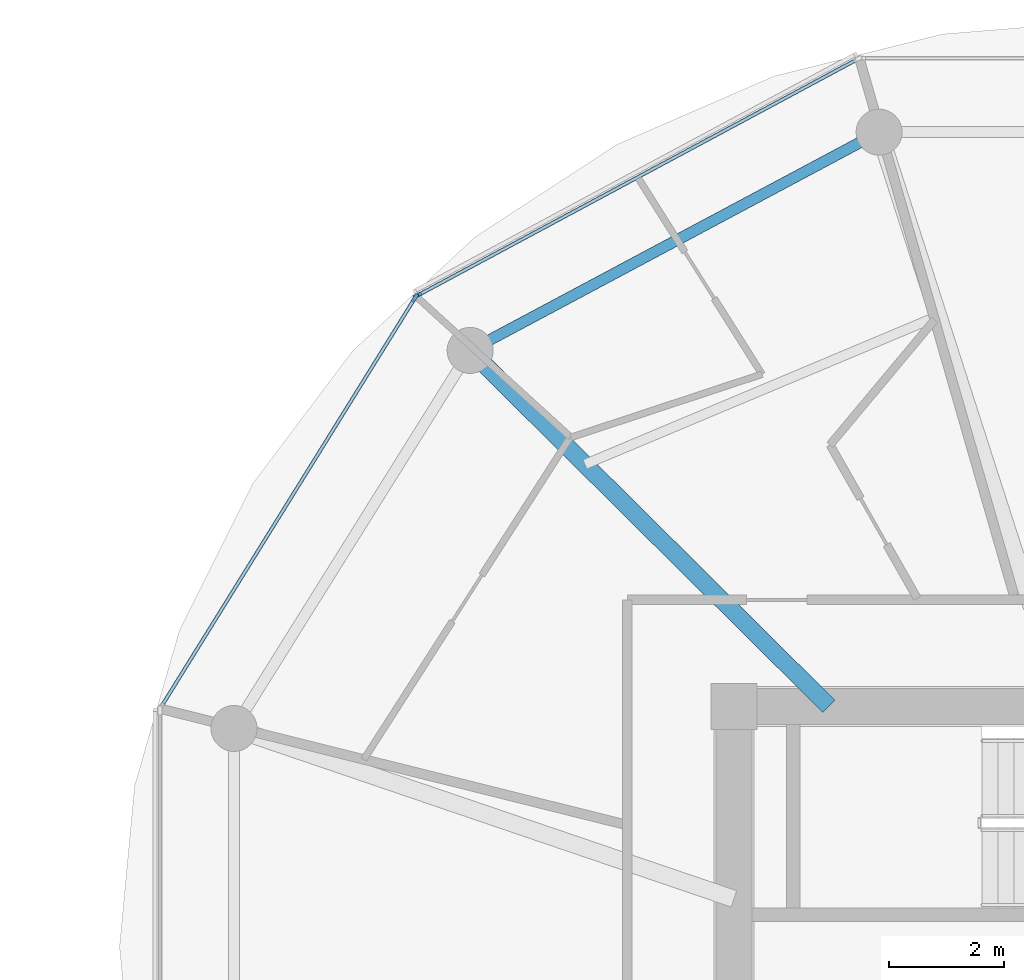
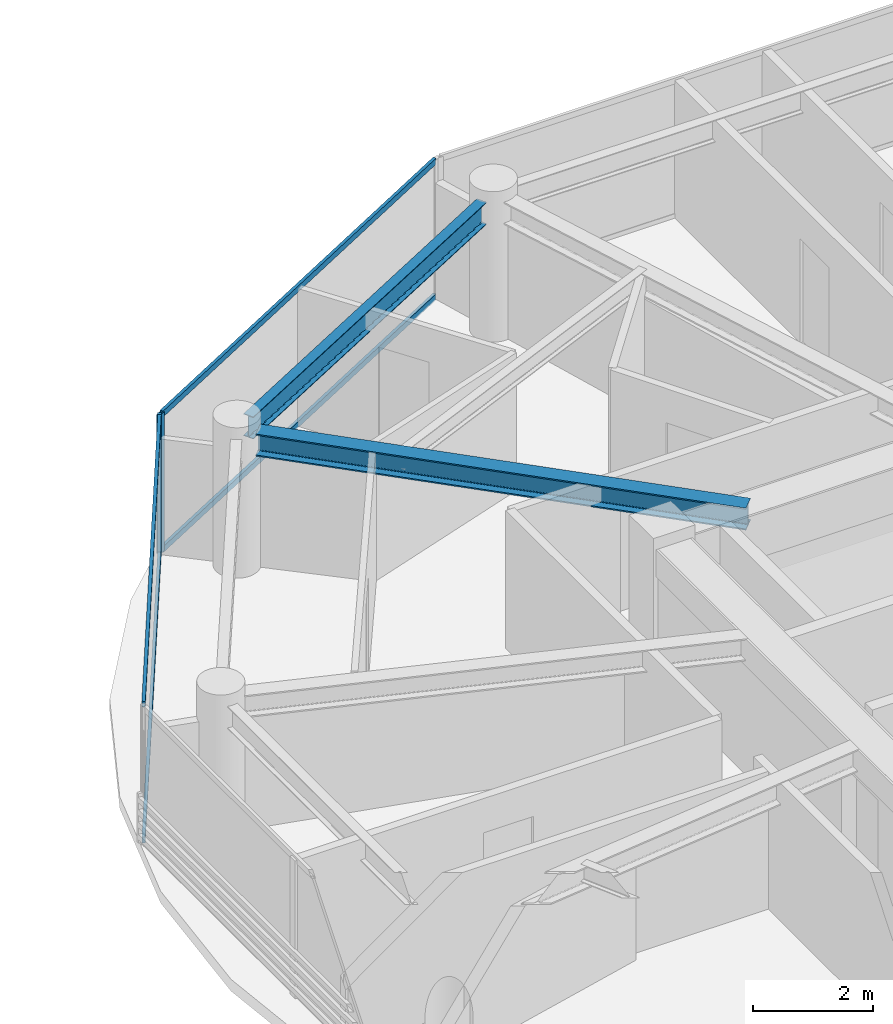
# One storey, part 8 of 23: 6 members, 2 beams, 2 elements without a shape of their own.
"""IFC4 building model written with IfcOpenShell, lengths in metres."""

import ifcopenshell
import ifcopenshell.guid

model = None  # the IFC model being written
_history = None  # IfcOwnerHistory: only IFC2X3 demands one
_inside = {}  # id of a spatial element -> (the spatial element, [elements in it])
_under = {}  # id of a project, library or spatial element -> (it, [spatial elements below it])
_declared = {}  # id of a project -> (the project, [libraries it declares])
_typed = {}  # id of a type object -> (the type object, [elements of that type])
_made_of = {}  # id of a material, layer set ... -> (it, [elements and type objects made of it])


def new_model(schema):
    """Start an empty IFC model of exactly this schema.

    Asked for "IFC4X3", IfcOpenShell would pick the latest addendum, in which some entities
    have other attributes; the version numbers below select the first issue.
    IFC2X3 requires an IfcOwnerHistory on every rooted entity: one is made here for all.
    """
    global model, _history
    if schema == "IFC4X3":
        model = ifcopenshell.file(schema_version=(4, 3, 0, 0))
    else:
        model = ifcopenshell.file(schema=schema)
    _inside.clear()
    _under.clear()
    _declared.clear()
    _typed.clear()
    _made_of.clear()
    _history = None
    if model.schema == "IFC2X3":
        org = make("IfcOrganization", Name="unknown")
        user = make(
            "IfcPersonAndOrganization",
            ThePerson=make("IfcPerson", FamilyName="unknown"),
            TheOrganization=org,
        )
        app = make(
            "IfcApplication",
            ApplicationDeveloper=org,
            Version="unknown",
            ApplicationFullName="unknown",
            ApplicationIdentifier="unknown",
        )
        _history = make(
            "IfcOwnerHistory",
            OwningUser=user,
            OwningApplication=app,
            ChangeAction="ADDED",
            CreationDate=0,
        )
    return model


def make(cls, **values):
    """One entity of the class cls with the attributes given. An attribute that is None is left unset."""
    return model.create_entity(
        cls, **{name: value for name, value in values.items() if value is not None}
    )


def rooted(cls, **values):
    """An entity with a GlobalId (a new one), such as an element, a storey or a relation."""
    return make(cls, GlobalId=ifcopenshell.guid.new(), OwnerHistory=_history, **values)


def si_unit(unit_type, name, prefix=None):
    """IfcSIUnit, for example si_unit("LENGTHUNIT", "METRE", prefix="MILLI")."""
    return make("IfcSIUnit", UnitType=unit_type, Prefix=prefix, Name=name)


def assignment(units):
    """IfcUnitAssignment: the units of a project."""
    return None if units is None else make("IfcUnitAssignment", Units=units)


def point(xyz):
    """IfcCartesianPoint."""
    return None if xyz is None else make("IfcCartesianPoint", Coordinates=xyz)


def direction(xyz):
    """IfcDirection."""
    return None if xyz is None else make("IfcDirection", DirectionRatios=xyz)


def frame(location, z_axis=None, x_axis=None):
    """IfcAxis2Placement3D, a coordinate frame: its origin and axes. An axis left out is left unset."""
    return make(
        "IfcAxis2Placement3D",
        Location=point(location),
        Axis=direction(z_axis),
        RefDirection=direction(x_axis),
    )


def frame_2d(location, x_axis=None):
    """IfcAxis2Placement2D, a coordinate frame in the plane: its origin and x axis."""
    return make(
        "IfcAxis2Placement2D", Location=point(location), RefDirection=direction(x_axis)
    )


def origin():
    """The frame at (0, 0, 0) with its axes left unset."""
    return frame((0.0, 0.0, 0.0))


def origin_2d():
    """The frame at (0, 0) in the plane with its x axis left unset."""
    return frame_2d((0.0, 0.0))


def place(relative_to, where):
    """IfcLocalPlacement: puts the frame where relative to a parent placement (None: the world)."""
    return make(
        "IfcLocalPlacement", PlacementRelTo=relative_to, RelativePlacement=where
    )


def context(
    kind, dimensions, precision=None, world=None, true_north=None, identifier=None
):
    """IfcGeometricRepresentationContext, for example the 3D "Model" context."""
    return make(
        "IfcGeometricRepresentationContext",
        ContextIdentifier=identifier,
        ContextType=kind,
        CoordinateSpaceDimension=dimensions,
        Precision=precision,
        WorldCoordinateSystem=world,
        TrueNorth=true_north,
    )


def subcontext(parent, identifier, kind, view, scale=None):
    """IfcGeometricRepresentationSubContext, for example "Body" below "Model"."""
    return make(
        "IfcGeometricRepresentationSubContext",
        ContextIdentifier=identifier,
        ContextType=kind,
        ParentContext=parent,
        TargetScale=scale,
        TargetView=view,
    )


def project(units=None, contexts=None):
    """IfcProject with its units and contexts."""
    return rooted(
        "IfcProject",
        Name="project",
        RepresentationContexts=contexts,
        UnitsInContext=assignment(units),
    )


def spatial(cls, under=None, at=None, **own):
    """A site, building, storey or space (cls), placed at a placement, below another one or the project."""
    s = rooted(cls, ObjectPlacement=at, **own)
    if under is not None:
        _under.setdefault(under.id(), (under, []))[1].append(s)
    return s


def profile(cls, at=None, kind="AREA", **sizes):
    """A parametric profile (cls). Its sizes go by their IFC names, for example OverallWidth=200.0."""
    return make(cls, ProfileType=kind, Position=at, **sizes)


def rectangle(**sizes):
    """IfcRectangleProfileDef."""
    return profile("IfcRectangleProfileDef", **sizes)


def i_section(**sizes):
    """IfcIShapeProfileDef."""
    return profile("IfcIShapeProfileDef", **sizes)


def extrude(swept, where, along, depth):
    """IfcExtrudedAreaSolid: the profile swept, set in the frame where, extruded along a direction by depth."""
    return make(
        "IfcExtrudedAreaSolid",
        SweptArea=swept,
        Position=where,
        ExtrudedDirection=direction(along),
        Depth=depth,
    )


def shape(context_of_items, identifier, shape_type, items):
    """IfcShapeRepresentation: the items that make up one representation, for example the "Body"."""
    return make(
        "IfcShapeRepresentation",
        ContextOfItems=context_of_items,
        RepresentationIdentifier=identifier,
        RepresentationType=shape_type,
        Items=items,
    )


def source(mapping_origin, context_of_items, identifier, shape_type, items):
    """IfcRepresentationMap: a shape defined once, which mapped items show again and again."""
    return make(
        "IfcRepresentationMap",
        MappingOrigin=mapping_origin,
        MappedRepresentation=shape(context_of_items, identifier, shape_type, items),
    )


def transform(
    local_origin,
    x_axis=None,
    y_axis=None,
    z_axis=None,
    scale=None,
    scale2=None,
    scale3=None,
    uniform=True,
):
    """IfcCartesianTransformationOperator3D, or its non-uniform kind. x_axis, y_axis, z_axis: its Axis1, 2, 3."""
    if uniform:
        return make(
            "IfcCartesianTransformationOperator3D",
            Axis1=direction(x_axis),
            Axis2=direction(y_axis),
            LocalOrigin=point(local_origin),
            Scale=scale,
            Axis3=direction(z_axis),
        )
    return make(
        "IfcCartesianTransformationOperator3DnonUniform",
        Axis1=direction(x_axis),
        Axis2=direction(y_axis),
        LocalOrigin=point(local_origin),
        Scale=scale,
        Axis3=direction(z_axis),
        Scale2=scale2,
        Scale3=scale3,
    )


def mapped(mapping_source, mapping_target):
    """IfcMappedItem: shows the shape of a source again, moved by a transform."""
    return make(
        "IfcMappedItem", MappingSource=mapping_source, MappingTarget=mapping_target
    )


def material(Name=None, Category=None):
    """IfcMaterial."""
    return make("IfcMaterial", Name=Name, Category=Category)


def layer(
    of_material, thickness, ventilated=None, Name=None, Category=None, Priority=None
):
    """IfcMaterialLayer: one layer of a wall or slab, of a material (None: an air gap)."""
    return make(
        "IfcMaterialLayer",
        Material=of_material,
        LayerThickness=thickness,
        IsVentilated=ventilated,
        Name=Name,
        Category=Category,
        Priority=Priority,
    )


def layer_set(layers, Name=None):
    """IfcMaterialLayerSet."""
    return make("IfcMaterialLayerSet", MaterialLayers=layers, LayerSetName=Name)


def material_profile(
    of_material, cross_section, Name=None, Category=None, Priority=None
):
    """IfcMaterialProfile: a cross section and its material."""
    return make(
        "IfcMaterialProfile",
        Name=Name,
        Material=of_material,
        Profile=cross_section,
        Priority=Priority,
        Category=Category,
    )


def profile_set(profiles, Name=None, composite=None):
    """IfcMaterialProfileSet."""
    return make(
        "IfcMaterialProfileSet",
        Name=Name,
        MaterialProfiles=profiles,
        CompositeProfile=composite,
    )


def made_of(thing, what):
    """Note that an element or type object is made of a material, layer set ...; save() writes the relation."""
    if what is not None:
        _made_of.setdefault(what.id(), (what, []))[1].append(thing)
    return thing


def type_object(cls, material=None, **own):
    """A type object (cls), such as IfcWallType, which elements share."""
    return made_of(rooted(cls, **own), material)


def type_shapes(of_type, sources):
    """Give a type object the sources (RepresentationMaps) that its elements show as mapped items."""
    of_type.RepresentationMaps = sources


def element(
    cls,
    number,
    at=None,
    inside=None,
    cuts=None,
    type_object=None,
    material=None,
    context=None,
    identifier="Body",
    shape_type=None,
    held_by="IfcProductDefinitionShape",
    body=None,
    shapes=None,
    **own,
):
    """One element of the class cls, such as IfcWall. Its Tag is "e" and its number.

    at: its placement. inside: the storey or other place that contains it. cuts: it is an
    opening in that element (IfcRelVoidsElement). A single representation is given by context,
    identifier, shape_type and body (its items); several are given by shapes. held_by: the class
    of the entity that holds the representations. save() writes the other relations.
    """
    e = rooted(cls, Tag="e%d" % number, ObjectPlacement=at, **own)
    if body is not None:
        shapes = [shape(context, identifier, shape_type, body)]
    if shapes is not None:
        e.Representation = make(held_by, Representations=shapes)
    if inside is not None:
        _inside.setdefault(inside.id(), (inside, []))[1].append(e)
    if cuts is not None:
        rooted(
            "IfcRelVoidsElement", RelatingBuildingElement=cuts, RelatedOpeningElement=e
        )
    if type_object is not None:
        _typed.setdefault(type_object.id(), (type_object, []))[1].append(e)
    return made_of(e, material)


def aggregate(whole, parts):
    """IfcRelAggregates: a whole, such as a stair, and the parts it consists of."""
    return rooted("IfcRelAggregates", RelatingObject=whole, RelatedObjects=parts)


def save(model, path):
    """Write the relations noted so far, then the file.

    IfcRelAggregates (storeys below a building ...), IfcRelContainedInSpatialStructure (elements
    in a storey), IfcRelDefinesByType, IfcRelAssociatesMaterial and IfcRelDeclares: one each for
    every whole, place, type object, material and project.
    """
    for whole, parts in _under.values():
        aggregate(whole, parts)
    for where, things in _inside.values():
        rooted(
            "IfcRelContainedInSpatialStructure",
            RelatedElements=things,
            RelatingStructure=where,
        )
    for kind, things in _typed.values():
        rooted("IfcRelDefinesByType", RelatedObjects=things, RelatingType=kind)
    for what, things in _made_of.values():
        rooted("IfcRelAssociatesMaterial", RelatedObjects=things, RelatingMaterial=what)
    for by, libraries in _declared.values():
        rooted("IfcRelDeclares", RelatingContext=by, RelatedDefinitions=libraries)
    model.write(path)


model = new_model("IFC4")

# Units and contexts
model_context = context("Model", 3, precision=1e-05, world=origin(), true_north=direction((0.0, 1.0)))
body_context = subcontext(model_context, "Body", "Model", "MODEL_VIEW")
ifc_project = project(units=[si_unit("LENGTHUNIT", "METRE"), si_unit("AREAUNIT", "SQUARE_METRE"), si_unit("VOLUMEUNIT", "CUBIC_METRE"), si_unit("PLANEANGLEUNIT", "RADIAN"), si_unit("MASSUNIT", "GRAM", prefix="KILO")], contexts=[model_context])

# Site, building, storey
site_placement = place(None, origin())
site = spatial("IfcSite", under=ifc_project, at=site_placement, CompositionType="ELEMENT")
building_placement = place(site_placement, origin())
building = spatial("IfcBuilding", under=site, at=building_placement, Name="Norrkilde Senior Care Towers", CompositionType="ELEMENT")
storey_placement = place(building_placement, frame((0.0, 0.0, 164.800048828125)))
storey = spatial("IfcBuildingStorey", under=building, at=storey_placement, Name="L51", CompositionType="ELEMENT", Elevation=164.800048828125)

# Beams
ifc_material_1 = material(Name="Steel S355", Category="steel")
ifc_material_profile_1 = material_profile(ifc_material_1, i_section(OverallWidth=0.18994140625, OverallDepth=0.449951171875, WebThickness=0.009521484375, FlangeThickness=0.0146484375, FilletRadius=0.02099609375, at=origin_2d()), Name="IPE 450")
ifc_profile_set_1 = profile_set([ifc_material_profile_1], Name="Steel S355")
beam_type_1 = type_object("IfcBeamType", Name="Perimeter Ring Spandrel Z3 IPE450", PredefinedType="SPANDREL", material=ifc_profile_set_1)
shared_shape_1 = source(origin(), body_context, "Body", "SweptSolid", [
    extrude(i_section(OverallWidth=0.18994140625, OverallDepth=0.449951171875, WebThickness=0.009521484375, FlangeThickness=0.0146484375, FilletRadius=0.02099609375, at=origin_2d()), origin(), (0.0, 0.0, 1.0), 7.333740234375),
])
type_shapes(beam_type_1, [shared_shape_1])
beam_1_placement = place(storey_placement, frame((22.55517578125, 15.756591796875, 2.5849609375), z_axis=(-0.882247866069, -0.470785198172, 0.0), x_axis=(0.470785198172, -0.882247866069, 0.0)))
element("IfcBeam", 1, at=beam_1_placement, inside=storey, type_object=beam_type_1, Name="L51 Drum E Perimeter Spandrel 04", PredefinedType="SPANDREL", context=body_context, shape_type="MappedRepresentation", body=[
    mapped(shared_shape_1, transform((0.0, 0.0, 0.0), x_axis=(1.0, 0.0, 0.0), y_axis=(0.0, 1.0, 0.0), z_axis=(0.0, 0.0, 1.0), scale=1.0)),
])
ifc_material_profile_2 = material_profile(ifc_material_1, i_section(OverallWidth=0.300048828125, OverallDepth=0.449951171875, WebThickness=0.013916015625, FlangeThickness=0.02587890625, FilletRadius=0.027099609375, at=origin_2d()), Name="HEB 450")
ifc_profile_set_2 = profile_set([ifc_material_profile_2], Name="Steel S355")
beam_type_2 = type_object("IfcBeamType", Name="Radial Floor Beam Z3 HEB450", PredefinedType="BEAM", material=ifc_profile_set_2)
shared_shape_2 = source(origin(), body_context, "Body", "SweptSolid", [
    extrude(i_section(OverallWidth=0.300048828125, OverallDepth=0.449951171875, WebThickness=0.013916015625, FlangeThickness=0.02587890625, FilletRadius=0.027099609375, at=origin_2d()), origin(), (0.0, 0.0, 1.0), 8.421630859375),
])
type_shapes(beam_type_2, [shared_shape_2])
beam_2_placement = place(storey_placement, frame((22.001953125, 5.949951171875, 2.5849609375), z_axis=(-0.709956495972, 0.704245535184, 0.0), x_axis=(-0.704245535184, -0.709956495972, 0.0)))
element("IfcBeam", 2, at=beam_2_placement, inside=storey, type_object=beam_type_2, Name="L51 Drum E Radial Floor Beam 05", PredefinedType="BEAM", context=body_context, shape_type="MappedRepresentation", body=[
    mapped(shared_shape_2, transform((0.0, 0.0, 0.0), x_axis=(1.0, 0.0, 0.0), y_axis=(0.0, 1.0, 0.0), z_axis=(0.0, 0.0, 1.0), scale=1.0)),
])

# Curtain wall, member
ifc_material_2 = material(Name="Triple Low-E Insulated Glazing", Category="glass")
ifc_layer = layer(ifc_material_2, 0.18994140625)
ifc_layer_set = layer_set([ifc_layer], Name="Triple Low-E Insulated Glazing")
curtain_wall_type = type_object("IfcCurtainWallType", Name="CW4 Zone 3 Senior Residence Curtain Wall", PredefinedType="NOTDEFINED", material=ifc_layer_set)
curtain_wall_1_placement = place(storey_placement, origin())
curtain_wall_1 = element("IfcCurtainWall", 3, at=curtain_wall_1_placement, inside=storey, type_object=curtain_wall_type, Name="L51 Drum E Curtain Wall 03", PredefinedType="NOTDEFINED")
ifc_material_3 = material(Name="Anodised Aluminium", Category="aluminium")
ifc_material_profile_3 = material_profile(ifc_material_3, rectangle(XDim=0.06494140625, YDim=0.14990234375, at=origin_2d()), Name="ALU MULL 65x150")
ifc_profile_set_3 = profile_set([ifc_material_profile_3], Name="Anodised Aluminium")
member_type_1 = type_object("IfcMemberType", Name="Curtain Wall Mullion Z3-Z4 65x150", PredefinedType="MULLION", material=ifc_profile_set_3)
shared_shape_3 = source(origin(), body_context, "Body", "SweptSolid", [
    extrude(rectangle(XDim=0.06494140625, YDim=0.14990234375, at=origin_2d()), origin(), (0.0, 0.0, 1.0), 2.81005859375),
])
type_shapes(member_type_1, [shared_shape_3])
member_1_placement = place(storey_placement, frame((14.85546875, 13.09033203125, 0.0), z_axis=(0.0, 0.0, 1.0), x_axis=(-0.47311715104, 0.880999524059, 0.0)))
member_1 = element("IfcMember", 4, at=member_1_placement, type_object=member_type_1, Name="CW-4 mullion 1", PredefinedType="MULLION", context=body_context, shape_type="MappedRepresentation", body=[
    mapped(shared_shape_3, transform((0.0, 0.0, 0.0), x_axis=(1.0, 0.0, 0.0), y_axis=(0.0, 1.0, 0.0), z_axis=(0.0, 0.0, 1.0), scale=1.0)),
])

# Curtain wall, members
curtain_wall_2_placement = place(storey_placement, origin())
curtain_wall_2 = element("IfcCurtainWall", 5, at=curtain_wall_2_placement, inside=storey, type_object=curtain_wall_type, Name="L51 Drum E Curtain Wall 04", PredefinedType="NOTDEFINED")
member_2_placement = place(storey_placement, frame((14.809814453125, 13.04736328125, 0.0), z_axis=(0.0, 0.0, 1.0), x_axis=(-0.84963405474, 0.52737270789, 0.0)))
member_2 = element("IfcMember", 6, at=member_2_placement, type_object=member_type_1, Name="CW-4 mullion 2", PredefinedType="MULLION", context=body_context, shape_type="MappedRepresentation", body=[
    mapped(shared_shape_3, transform((0.0, 0.0, 0.0), x_axis=(1.0, 0.0, 0.0), y_axis=(0.0, 1.0, 0.0), z_axis=(0.0, 0.0, 1.0), scale=1.0)),
])
ifc_material_profile_4 = material_profile(ifc_material_3, rectangle(XDim=0.06005859375, YDim=0.1201171875, at=origin_2d()), Name="ALU TRAN 60x120")
ifc_profile_set_4 = profile_set([ifc_material_profile_4], Name="Anodised Aluminium")
member_type_2 = type_object("IfcMemberType", Name="Curtain Wall Transom Typical 60x120", PredefinedType="USERDEFINED", material=ifc_profile_set_4)
shared_shape_4 = source(origin(), body_context, "Body", "SweptSolid", [
    extrude(rectangle(XDim=0.06005859375, YDim=0.1201171875, at=origin_2d()), origin(), (0.0, 0.0, 1.0), 8.301513671875),
])
member_3_placement = place(storey_placement, frame((10.414794921875, 5.966552734375, 0.030029296875), z_axis=(0.527368718394, 0.849636531029, 0.0), x_axis=(-0.849636531029, 0.527368718394, 0.0)))
member_3 = element("IfcMember", 7, at=member_3_placement, type_object=member_type_2, Name="CW-4 transom 1.1", ObjectType="TRANSOM", PredefinedType="USERDEFINED", context=body_context, shape_type="MappedRepresentation", body=[
    mapped(shared_shape_4, transform((0.0, 0.0, 0.0), x_axis=(1.0, 0.0, 0.0), y_axis=(0.0, 1.0, 0.0), z_axis=(0.0, 0.0, 1.0), scale=1.0)),
])
member_4_placement = place(storey_placement, frame((10.414794921875, 5.966552734375, 2.780029296875), z_axis=(0.527368718394, 0.849636531029, 0.0), x_axis=(-0.849636531029, 0.527368718394, 0.0)))
member_4 = element("IfcMember", 8, at=member_4_placement, type_object=member_type_2, Name="CW-4 transom 1.2", ObjectType="TRANSOM", PredefinedType="USERDEFINED", context=body_context, shape_type="MappedRepresentation", body=[
    mapped(shared_shape_4, transform((0.0, 0.0, 0.0), x_axis=(1.0, 0.0, 0.0), y_axis=(0.0, 1.0, 0.0), z_axis=(0.0, 0.0, 1.0), scale=1.0)),
])
aggregate(curtain_wall_2, [member_2, member_3, member_4])

# Member
shared_shape_5 = source(origin(), body_context, "Body", "SweptSolid", [
    extrude(rectangle(XDim=0.06005859375, YDim=0.1201171875, at=origin_2d()), origin(), (0.0, 0.0, 1.0), 8.61181640625),
])
type_shapes(member_type_2, [shared_shape_4, shared_shape_5])
member_5_placement = place(storey_placement, frame((14.88427734375, 13.105712890625, 0.030029296875), z_axis=(0.880993991641, 0.473127452906, 0.0), x_axis=(-0.473127452906, 0.880993991641, 0.0)))
member_5 = element("IfcMember", 9, at=member_5_placement, type_object=member_type_2, Name="CW-4 transom 1.1", ObjectType="TRANSOM", PredefinedType="USERDEFINED", context=body_context, shape_type="MappedRepresentation", body=[
    mapped(shared_shape_5, transform((0.0, 0.0, 0.0), x_axis=(1.0, 0.0, 0.0), y_axis=(0.0, 1.0, 0.0), z_axis=(0.0, 0.0, 1.0), scale=1.0)),
])

member_6_placement = place(storey_placement, frame((14.88427734375, 13.105712890625, 2.780029296875), z_axis=(0.880993991641, 0.473127452906, 0.0), x_axis=(-0.473127452906, 0.880993991641, 0.0)))
member_6 = element("IfcMember", 10, at=member_6_placement, type_object=member_type_2, Name="CW-4 transom 1.2", ObjectType="TRANSOM", PredefinedType="USERDEFINED", context=body_context, shape_type="MappedRepresentation", body=[
    mapped(shared_shape_5, transform((0.0, 0.0, 0.0), x_axis=(1.0, 0.0, 0.0), y_axis=(0.0, 1.0, 0.0), z_axis=(0.0, 0.0, 1.0), scale=1.0)),
])

aggregate(curtain_wall_1, [member_1, member_5, member_6])

save(model, "model.ifc")
